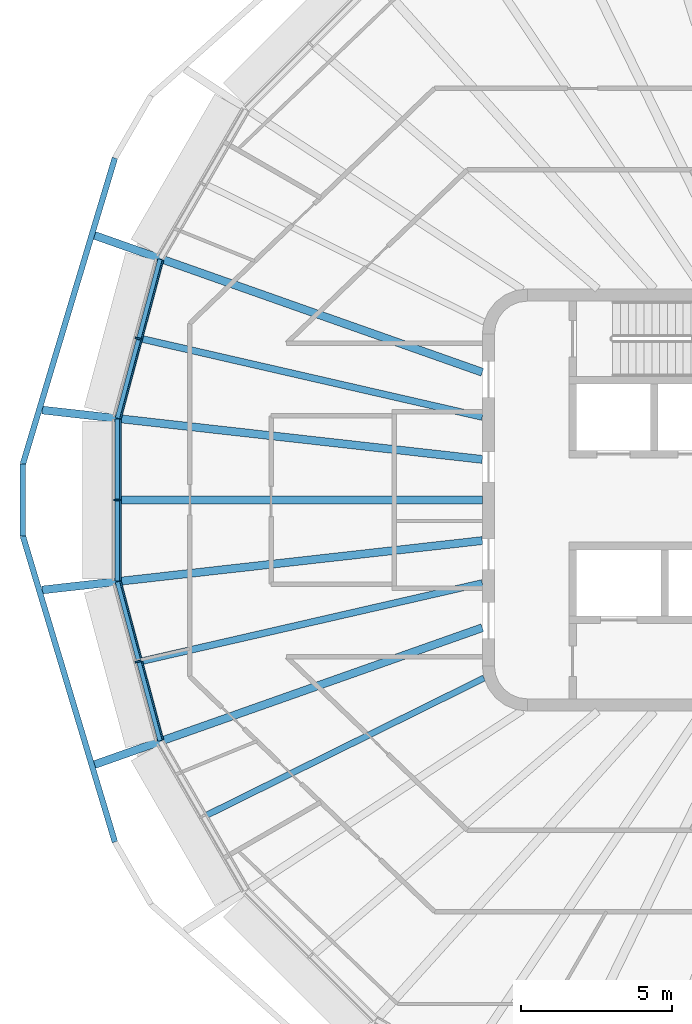
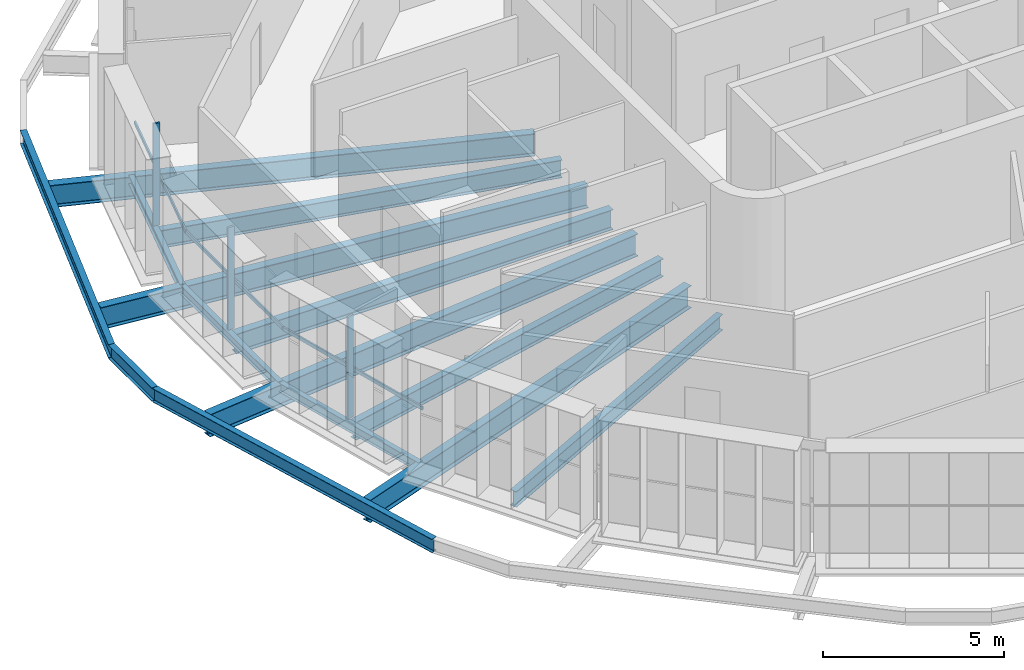
# One storey, part 2 of 18: 14 beams, 6 members, 3 elements without a shape of their own.
"""IFC4 building model written with IfcOpenShell, lengths in metres."""

import ifcopenshell
import ifcopenshell.guid

model = None  # the IFC model being written
_history = None  # IfcOwnerHistory: only IFC2X3 demands one
_inside = {}  # id of a spatial element -> (the spatial element, [elements in it])
_under = {}  # id of a project, library or spatial element -> (it, [spatial elements below it])
_declared = {}  # id of a project -> (the project, [libraries it declares])
_typed = {}  # id of a type object -> (the type object, [elements of that type])
_made_of = {}  # id of a material, layer set ... -> (it, [elements and type objects made of it])


def new_model(schema):
    """Start an empty IFC model of exactly this schema.

    Asked for "IFC4X3", IfcOpenShell would pick the latest addendum, in which some entities
    have other attributes; the version numbers below select the first issue.
    IFC2X3 requires an IfcOwnerHistory on every rooted entity: one is made here for all.
    """
    global model, _history
    if schema == "IFC4X3":
        model = ifcopenshell.file(schema_version=(4, 3, 0, 0))
    else:
        model = ifcopenshell.file(schema=schema)
    _inside.clear()
    _under.clear()
    _declared.clear()
    _typed.clear()
    _made_of.clear()
    _history = None
    if model.schema == "IFC2X3":
        org = make("IfcOrganization", Name="unknown")
        user = make(
            "IfcPersonAndOrganization",
            ThePerson=make("IfcPerson", FamilyName="unknown"),
            TheOrganization=org,
        )
        app = make(
            "IfcApplication",
            ApplicationDeveloper=org,
            Version="unknown",
            ApplicationFullName="unknown",
            ApplicationIdentifier="unknown",
        )
        _history = make(
            "IfcOwnerHistory",
            OwningUser=user,
            OwningApplication=app,
            ChangeAction="ADDED",
            CreationDate=0,
        )
    return model


def make(cls, **values):
    """One entity of the class cls with the attributes given. An attribute that is None is left unset."""
    return model.create_entity(
        cls, **{name: value for name, value in values.items() if value is not None}
    )


def rooted(cls, **values):
    """An entity with a GlobalId (a new one), such as an element, a storey or a relation."""
    return make(cls, GlobalId=ifcopenshell.guid.new(), OwnerHistory=_history, **values)


def si_unit(unit_type, name, prefix=None):
    """IfcSIUnit, for example si_unit("LENGTHUNIT", "METRE", prefix="MILLI")."""
    return make("IfcSIUnit", UnitType=unit_type, Prefix=prefix, Name=name)


def assignment(units):
    """IfcUnitAssignment: the units of a project."""
    return None if units is None else make("IfcUnitAssignment", Units=units)


def point(xyz):
    """IfcCartesianPoint."""
    return None if xyz is None else make("IfcCartesianPoint", Coordinates=xyz)


def direction(xyz):
    """IfcDirection."""
    return None if xyz is None else make("IfcDirection", DirectionRatios=xyz)


def frame(location, z_axis=None, x_axis=None):
    """IfcAxis2Placement3D, a coordinate frame: its origin and axes. An axis left out is left unset."""
    return make(
        "IfcAxis2Placement3D",
        Location=point(location),
        Axis=direction(z_axis),
        RefDirection=direction(x_axis),
    )


def frame_2d(location, x_axis=None):
    """IfcAxis2Placement2D, a coordinate frame in the plane: its origin and x axis."""
    return make(
        "IfcAxis2Placement2D", Location=point(location), RefDirection=direction(x_axis)
    )


def origin():
    """The frame at (0, 0, 0) with its axes left unset."""
    return frame((0.0, 0.0, 0.0))


def origin_2d():
    """The frame at (0, 0) in the plane with its x axis left unset."""
    return frame_2d((0.0, 0.0))


def place(relative_to, where):
    """IfcLocalPlacement: puts the frame where relative to a parent placement (None: the world)."""
    return make(
        "IfcLocalPlacement", PlacementRelTo=relative_to, RelativePlacement=where
    )


def context(
    kind, dimensions, precision=None, world=None, true_north=None, identifier=None
):
    """IfcGeometricRepresentationContext, for example the 3D "Model" context."""
    return make(
        "IfcGeometricRepresentationContext",
        ContextIdentifier=identifier,
        ContextType=kind,
        CoordinateSpaceDimension=dimensions,
        Precision=precision,
        WorldCoordinateSystem=world,
        TrueNorth=true_north,
    )


def subcontext(parent, identifier, kind, view, scale=None):
    """IfcGeometricRepresentationSubContext, for example "Body" below "Model"."""
    return make(
        "IfcGeometricRepresentationSubContext",
        ContextIdentifier=identifier,
        ContextType=kind,
        ParentContext=parent,
        TargetScale=scale,
        TargetView=view,
    )


def project(units=None, contexts=None):
    """IfcProject with its units and contexts."""
    return rooted(
        "IfcProject",
        Name="project",
        RepresentationContexts=contexts,
        UnitsInContext=assignment(units),
    )


def spatial(cls, under=None, at=None, **own):
    """A site, building, storey or space (cls), placed at a placement, below another one or the project."""
    s = rooted(cls, ObjectPlacement=at, **own)
    if under is not None:
        _under.setdefault(under.id(), (under, []))[1].append(s)
    return s


def profile(cls, at=None, kind="AREA", **sizes):
    """A parametric profile (cls). Its sizes go by their IFC names, for example OverallWidth=200.0."""
    return make(cls, ProfileType=kind, Position=at, **sizes)


def rectangle(**sizes):
    """IfcRectangleProfileDef."""
    return profile("IfcRectangleProfileDef", **sizes)


def i_section(**sizes):
    """IfcIShapeProfileDef."""
    return profile("IfcIShapeProfileDef", **sizes)


def extrude(swept, where, along, depth):
    """IfcExtrudedAreaSolid: the profile swept, set in the frame where, extruded along a direction by depth."""
    return make(
        "IfcExtrudedAreaSolid",
        SweptArea=swept,
        Position=where,
        ExtrudedDirection=direction(along),
        Depth=depth,
    )


def shape(context_of_items, identifier, shape_type, items):
    """IfcShapeRepresentation: the items that make up one representation, for example the "Body"."""
    return make(
        "IfcShapeRepresentation",
        ContextOfItems=context_of_items,
        RepresentationIdentifier=identifier,
        RepresentationType=shape_type,
        Items=items,
    )


def material(Name=None, Category=None):
    """IfcMaterial."""
    return make("IfcMaterial", Name=Name, Category=Category)


def layer(
    of_material, thickness, ventilated=None, Name=None, Category=None, Priority=None
):
    """IfcMaterialLayer: one layer of a wall or slab, of a material (None: an air gap)."""
    return make(
        "IfcMaterialLayer",
        Material=of_material,
        LayerThickness=thickness,
        IsVentilated=ventilated,
        Name=Name,
        Category=Category,
        Priority=Priority,
    )


def layer_set(layers, Name=None):
    """IfcMaterialLayerSet."""
    return make("IfcMaterialLayerSet", MaterialLayers=layers, LayerSetName=Name)


def material_profile(
    of_material, cross_section, Name=None, Category=None, Priority=None
):
    """IfcMaterialProfile: a cross section and its material."""
    return make(
        "IfcMaterialProfile",
        Name=Name,
        Material=of_material,
        Profile=cross_section,
        Priority=Priority,
        Category=Category,
    )


def profile_set(profiles, Name=None, composite=None):
    """IfcMaterialProfileSet."""
    return make(
        "IfcMaterialProfileSet",
        Name=Name,
        MaterialProfiles=profiles,
        CompositeProfile=composite,
    )


def made_of(thing, what):
    """Note that an element or type object is made of a material, layer set ...; save() writes the relation."""
    if what is not None:
        _made_of.setdefault(what.id(), (what, []))[1].append(thing)
    return thing


def type_object(cls, material=None, **own):
    """A type object (cls), such as IfcWallType, which elements share."""
    return made_of(rooted(cls, **own), material)


def element(
    cls,
    number,
    at=None,
    inside=None,
    cuts=None,
    type_object=None,
    material=None,
    context=None,
    identifier="Body",
    shape_type=None,
    held_by="IfcProductDefinitionShape",
    body=None,
    shapes=None,
    **own,
):
    """One element of the class cls, such as IfcWall. Its Tag is "e" and its number.

    at: its placement. inside: the storey or other place that contains it. cuts: it is an
    opening in that element (IfcRelVoidsElement). A single representation is given by context,
    identifier, shape_type and body (its items); several are given by shapes. held_by: the class
    of the entity that holds the representations. save() writes the other relations.
    """
    e = rooted(cls, Tag="e%d" % number, ObjectPlacement=at, **own)
    if body is not None:
        shapes = [shape(context, identifier, shape_type, body)]
    if shapes is not None:
        e.Representation = make(held_by, Representations=shapes)
    if inside is not None:
        _inside.setdefault(inside.id(), (inside, []))[1].append(e)
    if cuts is not None:
        rooted(
            "IfcRelVoidsElement", RelatingBuildingElement=cuts, RelatedOpeningElement=e
        )
    if type_object is not None:
        _typed.setdefault(type_object.id(), (type_object, []))[1].append(e)
    return made_of(e, material)


def aggregate(whole, parts):
    """IfcRelAggregates: a whole, such as a stair, and the parts it consists of."""
    return rooted("IfcRelAggregates", RelatingObject=whole, RelatedObjects=parts)


def save(model, path):
    """Write the relations noted so far, then the file.

    IfcRelAggregates (storeys below a building ...), IfcRelContainedInSpatialStructure (elements
    in a storey), IfcRelDefinesByType, IfcRelAssociatesMaterial and IfcRelDeclares: one each for
    every whole, place, type object, material and project.
    """
    for whole, parts in _under.values():
        aggregate(whole, parts)
    for where, things in _inside.values():
        rooted(
            "IfcRelContainedInSpatialStructure",
            RelatedElements=things,
            RelatingStructure=where,
        )
    for kind, things in _typed.values():
        rooted("IfcRelDefinesByType", RelatedObjects=things, RelatingType=kind)
    for what, things in _made_of.values():
        rooted("IfcRelAssociatesMaterial", RelatedObjects=things, RelatingMaterial=what)
    for by, libraries in _declared.values():
        rooted("IfcRelDeclares", RelatingContext=by, RelatedDefinitions=libraries)
    model.write(path)


model = new_model("IFC4")

# Units and contexts
model_context = context("Model", 3, precision=1e-05, world=origin(), true_north=direction((0.0, 1.0)))
body_context = subcontext(model_context, "Body", "Model", "MODEL_VIEW")
ifc_project = project(units=[si_unit("LENGTHUNIT", "METRE"), si_unit("AREAUNIT", "SQUARE_METRE"), si_unit("VOLUMEUNIT", "CUBIC_METRE"), si_unit("PLANEANGLEUNIT", "RADIAN"), si_unit("MASSUNIT", "GRAM", prefix="KILO")], contexts=[model_context])

# Site, building, storey
site_placement = place(None, origin())
site = spatial("IfcSite", under=ifc_project, at=site_placement, CompositionType="ELEMENT")
building_placement = place(site_placement, origin())
building = spatial("IfcBuilding", under=site, at=building_placement, Name="Sahrelin Media Tower", CompositionType="ELEMENT")
storey_placement = place(building_placement, frame((0.0, 0.0, 320.39990234375)))
storey = spatial("IfcBuildingStorey", under=building, at=storey_placement, Name="L71", CompositionType="ELEMENT", Elevation=320.39990234375)

# Beams
ifc_material_1 = material(Name="Steel S355", Category="steel")
ifc_material_profile_1 = material_profile(ifc_material_1, i_section(OverallWidth=0.1650390625, OverallDepth=0.303466796875, WebThickness=0.006103515625, FlangeThickness=0.01025390625, FilletRadius=0.0087890625, at=origin_2d()), Name="UB 305x165x40")
ifc_profile_set_1 = profile_set([ifc_material_profile_1], Name="Steel S355")
beam_type_1 = type_object("IfcBeamType", Name="Edge beam EB2", PredefinedType="BEAM", material=ifc_profile_set_1)
beam_1_placement = place(storey_placement, frame((-22.677490234375, -7.981689453125, -0.301513671875), z_axis=(-0.258807693076, 0.965928867984, 0.0), x_axis=(-0.965928867984, -0.258807693076, 0.0)))
element("IfcBeam", 1, at=beam_1_placement, inside=storey, type_object=beam_type_1, Name="Edge beam L71-12", PredefinedType="BEAM", context=body_context, shape_type="SweptSolid", body=[
    extrude(i_section(OverallWidth=0.1650390625, OverallDepth=0.303466796875, WebThickness=0.006103515625, FlangeThickness=0.01025390625, FilletRadius=0.0087890625, at=origin_2d()), origin(), (0.0, 0.0, 1.0), 5.453369140625),
])
beam_2_placement = place(storey_placement, frame((-24.0927734375, -2.685546875, -0.301513671875), z_axis=(0.0, 1.0, 0.0), x_axis=(-1.0, 0.0, 0.0)))
element("IfcBeam", 2, at=beam_2_placement, inside=storey, type_object=beam_type_1, Name="Edge beam L71-13", PredefinedType="BEAM", context=body_context, shape_type="SweptSolid", body=[
    extrude(i_section(OverallWidth=0.1650390625, OverallDepth=0.303466796875, WebThickness=0.006103515625, FlangeThickness=0.01025390625, FilletRadius=0.0087890625, at=origin_2d()), origin(), (0.0, 0.0, 1.0), 5.37109375),
])
beam_3_placement = place(storey_placement, frame((-24.0888671875, 2.714111328125, -0.301513671875), z_axis=(0.258807693076, 0.965928867984, 0.0), x_axis=(-0.965928867984, 0.258807693076, 0.0)))
element("IfcBeam", 3, at=beam_3_placement, inside=storey, type_object=beam_type_1, Name="Edge beam L71-14", PredefinedType="BEAM", context=body_context, shape_type="SweptSolid", body=[
    extrude(i_section(OverallWidth=0.1650390625, OverallDepth=0.303466796875, WebThickness=0.006103515625, FlangeThickness=0.01025390625, FilletRadius=0.0087890625, at=origin_2d()), origin(), (0.0, 0.0, 1.0), 5.453369140625),
])

# Curtain wall, member
ifc_material_2 = material(Name="Champagne anodised aluminium 6063-T6", Category="aluminium")
ifc_layer = layer(ifc_material_2, 0.14990234375)
ifc_layer_set = layer_set([ifc_layer], Name="Tower ribbon curtain wall")
curtain_wall_type = type_object("IfcCurtainWallType", Name="Tower ribbon curtain wall", PredefinedType="NOTDEFINED", material=ifc_layer_set)
curtain_wall_1_placement = place(storey_placement, frame((-23.5283203125, 5.38671875, 0.0), z_axis=(0.0, 0.0, 1.0), x_axis=(1.0, 0.0, 0.0)))
curtain_wall_1 = element("IfcCurtainWall", 4, at=curtain_wall_1_placement, inside=storey, type_object=curtain_wall_type, Name="L71:CW:L71-11", PredefinedType="NOTDEFINED")
ifc_material_profile_2 = material_profile(ifc_material_2, rectangle(XDim=0.06005859375, YDim=0.199951171875, at=origin_2d()), Name="Mullion 60x200")
ifc_profile_set_2 = profile_set([ifc_material_profile_2], Name="Champagne anodised aluminium 6063-T6")
member_type_1 = type_object("IfcMemberType", Name="Mullion 60x200 CW1C", PredefinedType="MULLION", material=ifc_profile_set_2)
member_1_placement = place(storey_placement, frame((-23.412109375, 5.355712890625, 0.0), z_axis=(0.0, 0.0, 1.0), x_axis=(-0.258813987523, -0.965927181449, 0.0)))
member_1 = element("IfcMember", 5, at=member_1_placement, type_object=member_type_1, Name="L71:CWM:L71-11", PredefinedType="MULLION", context=body_context, shape_type="SweptSolid", body=[
    extrude(rectangle(XDim=0.06005859375, YDim=0.199951171875, at=origin_2d()), origin(), (0.0, 0.0, 1.0), 3.44873046875),
])

curtain_wall_2_placement = place(storey_placement, frame((-24.24267578125, 0.0, 0.0), z_axis=(0.0, 0.0, 1.0), x_axis=(1.0, 0.0, 0.0)))
curtain_wall_2 = element("IfcCurtainWall", 6, at=curtain_wall_2_placement, inside=storey, type_object=curtain_wall_type, Name="L71:CW:L71-12", PredefinedType="NOTDEFINED")
member_2_placement = place(storey_placement, frame((-24.122802734375, 0.0, 0.0), z_axis=(0.0, 0.0, 1.0), x_axis=(0.0, -1.0, 0.0)))
member_2 = element("IfcMember", 7, at=member_2_placement, type_object=member_type_1, Name="L71:CWM:L71-12", PredefinedType="MULLION", context=body_context, shape_type="SweptSolid", body=[
    extrude(rectangle(XDim=0.06005859375, YDim=0.199951171875, at=origin_2d()), origin(), (0.0, 0.0, 1.0), 3.44873046875),
])

curtain_wall_3_placement = place(storey_placement, frame((-23.5283203125, -5.38671875, 0.0), z_axis=(0.0, 0.0, 1.0), x_axis=(1.0, 0.0, 0.0)))
curtain_wall_3 = element("IfcCurtainWall", 8, at=curtain_wall_3_placement, inside=storey, type_object=curtain_wall_type, Name="L71:CW:L71-13", PredefinedType="NOTDEFINED")
member_3_placement = place(storey_placement, frame((-23.412109375, -5.355712890625, 0.0), z_axis=(0.0, 0.0, 1.0), x_axis=(0.258813987523, -0.965927181449, 0.0)))
member_3 = element("IfcMember", 9, at=member_3_placement, type_object=member_type_1, Name="L71:CWM:L71-13", PredefinedType="MULLION", context=body_context, shape_type="SweptSolid", body=[
    extrude(rectangle(XDim=0.06005859375, YDim=0.199951171875, at=origin_2d()), origin(), (0.0, 0.0, 1.0), 3.44873046875),
])

# Beams
ifc_material_profile_3 = material_profile(ifc_material_1, i_section(OverallWidth=0.26513671875, OverallDepth=0.75390625, WebThickness=0.0126953125, FlangeThickness=0.017578125, FilletRadius=0.0166015625, at=origin_2d()), Name="UB 762x267x147")
ifc_profile_set_3 = profile_set([ifc_material_profile_3], Name="Steel S355")
beam_type_2 = type_object("IfcBeamType", Name="Radial primary beam PB9", PredefinedType="BEAM", material=ifc_profile_set_3)
beam_4_placement = place(storey_placement, frame((-12.0, 4.236083984375, -0.52685546875), z_axis=(-0.942964873881, 0.332892244769, 0.0), x_axis=(-0.332892244769, -0.942964873881, 0.0)))
element("IfcBeam", 10, at=beam_4_placement, inside=storey, type_object=beam_type_2, Name="Radial beam L71-11", PredefinedType="BEAM", context=body_context, shape_type="SweptSolid", body=[
    extrude(i_section(OverallWidth=0.26513671875, OverallDepth=0.75390625, WebThickness=0.0126953125, FlangeThickness=0.017578125, FilletRadius=0.0166015625, at=origin_2d()), origin(), (0.0, 0.0, 1.0), 13.633056640625),
])
for number, where, z_axis, x_axis, name in (
    (11, (-12.0, 1.34619140625, -0.52685546875), (-0.993764786308, 0.111496858677, 0.0), (-0.111496858677, -0.993764786308, 0.0), "Radial beam L71-12"),
    (12, (-12.0, -1.34619140625, -0.52685546875), (-0.993764786308, -0.111496858677, 0.0), (0.111496858677, -0.993764786308, 0.0), "Radial beam L71-13"),
):
    element("IfcBeam", number, at=place(storey_placement, frame(where, z_axis=z_axis, x_axis=x_axis)), inside=storey, type_object=beam_type_2, Name=name, PredefinedType="BEAM", context=body_context, shape_type="SweptSolid", body=[
        extrude(i_section(OverallWidth=0.26513671875, OverallDepth=0.75390625, WebThickness=0.0126953125, FlangeThickness=0.017578125, FilletRadius=0.0166015625, at=origin_2d()), origin(), (0.0, 0.0, 1.0), 14.688232421875),
    ])
beam_5_placement = place(storey_placement, frame((-12.0, -4.236083984375, -0.52685546875), z_axis=(-0.942964873881, -0.332892244769, 0.0), x_axis=(0.332892244769, -0.942964873881, 0.0)))
element("IfcBeam", 13, at=beam_5_placement, inside=storey, type_object=beam_type_2, Name="Radial beam L71-14", PredefinedType="BEAM", context=body_context, shape_type="SweptSolid", body=[
    extrude(i_section(OverallWidth=0.26513671875, OverallDepth=0.75390625, WebThickness=0.0126953125, FlangeThickness=0.017578125, FilletRadius=0.0166015625, at=origin_2d()), origin(), (0.0, 0.0, 1.0), 13.633056640625),
])
ifc_material_profile_4 = material_profile(ifc_material_1, i_section(OverallWidth=0.208740234375, OverallDepth=0.5283203125, WebThickness=0.009521484375, FlangeThickness=0.01318359375, FilletRadius=0.0126953125, at=origin_2d()), Name="UB 533x210x82")
ifc_profile_set_4 = profile_set([ifc_material_profile_4], Name="Steel S355")
beam_type_3 = type_object("IfcBeamType", Name="Radial secondary beam SB6", PredefinedType="BEAM", material=ifc_profile_set_4)
beam_6_placement = place(storey_placement, frame((-11.941650390625, -5.90576171875, -0.4140625), z_axis=(-0.896375943047, -0.443294674824, 0.0), x_axis=(0.443294674824, -0.896375943047, 0.0)))
element("IfcBeam", 14, at=beam_6_placement, inside=storey, type_object=beam_type_3, Name="Secondary beam L71-14", PredefinedType="BEAM", context=body_context, shape_type="SweptSolid", body=[
    extrude(i_section(OverallWidth=0.208740234375, OverallDepth=0.5283203125, WebThickness=0.009521484375, FlangeThickness=0.01318359375, FilletRadius=0.0126953125, at=origin_2d()), origin(), (0.0, 0.0, 1.0), 10.27783203125),
])
ifc_material_profile_5 = material_profile(ifc_material_1, i_section(OverallWidth=0.2275390625, OverallDepth=0.6025390625, WebThickness=0.010498046875, FlangeThickness=0.014892578125, FilletRadius=0.0126953125, at=origin_2d()), Name="UB 610x229x101")
ifc_profile_set_5 = profile_set([ifc_material_profile_5], Name="Steel S355")
beam_type_4 = type_object("IfcBeamType", Name="Radial secondary beam SB7", PredefinedType="BEAM", material=ifc_profile_set_5)
for number, where, z_axis, x_axis, name in (
    (15, (-12.0, 2.75341796875, -0.451171875), (-0.974674391125, 0.223628780089, 0.0), (-0.223628780089, -0.974674391125, 0.0), "Secondary beam L71-11"),
    (16, (-12.0, -2.75341796875, -0.451171875), (-0.974674391125, -0.223628780089, 0.0), (0.223628780089, -0.974674391125, 0.0), "Secondary beam L71-13"),
):
    element("IfcBeam", number, at=place(storey_placement, frame(where, z_axis=z_axis, x_axis=x_axis)), inside=storey, type_object=beam_type_4, Name=name, PredefinedType="BEAM", context=body_context, shape_type="SweptSolid", body=[
        extrude(i_section(OverallWidth=0.2275390625, OverallDepth=0.6025390625, WebThickness=0.010498046875, FlangeThickness=0.014892578125, FilletRadius=0.0126953125, at=origin_2d()), origin(), (0.0, 0.0, 1.0), 11.591796875),
    ])
ifc_material_profile_6 = material_profile(ifc_material_1, i_section(OverallWidth=0.2529296875, OverallDepth=0.677978515625, WebThickness=0.01171875, FlangeThickness=0.01611328125, FilletRadius=0.01513671875, at=origin_2d()), Name="UB 686x254x125")
ifc_profile_set_6 = profile_set([ifc_material_profile_6], Name="Steel S355")
beam_type_5 = type_object("IfcBeamType", Name="Radial secondary beam SB8", PredefinedType="BEAM", material=ifc_profile_set_6)
beam_7_placement = place(storey_placement, frame((-12.0, 0.0, -0.489013671875), z_axis=(-1.0, 0.0, 0.0), x_axis=(0.0, -1.0, 0.0)))
element("IfcBeam", 17, at=beam_7_placement, inside=storey, type_object=beam_type_5, Name="Secondary beam L71-12", PredefinedType="BEAM", context=body_context, shape_type="SweptSolid", body=[
    extrude(i_section(OverallWidth=0.2529296875, OverallDepth=0.677978515625, WebThickness=0.01171875, FlangeThickness=0.01611328125, FilletRadius=0.01513671875, at=origin_2d()), origin(), (0.0, 0.0, 1.0), 12.01025390625),
])
ifc_material_profile_7 = material_profile(ifc_material_1, i_section(OverallWidth=0.1904296875, OverallDepth=0.45703125, WebThickness=0.009033203125, FlangeThickness=0.014404296875, FilletRadius=0.01025390625, at=origin_2d()), Name="UB 457x191x74")
ifc_profile_set_7 = profile_set([ifc_material_profile_7], Name="Steel S355")
beam_type_6 = type_object("IfcBeamType", Name="Tie chord TC5", PredefinedType="BEAM", material=ifc_profile_set_7)
beam_8_placement = place(storey_placement, frame((-24.182373046875, 11.34326171875, -0.37841796875), z_axis=(-0.287981707962, -0.957635909874, 0.0), x_axis=(0.957635909874, -0.287981707962, 0.0)))
element("IfcBeam", 18, at=beam_8_placement, inside=storey, type_object=beam_type_6, Name="Tie chord L71-11", PredefinedType="BEAM", context=body_context, shape_type="SweptSolid", body=[
    extrude(i_section(OverallWidth=0.1904296875, OverallDepth=0.45703125, WebThickness=0.009033203125, FlangeThickness=0.014404296875, FilletRadius=0.01025390625, at=origin_2d()), origin(), (0.0, 0.0, 1.0), 10.600341796875),
])
beam_9_placement = place(storey_placement, frame((-27.235107421875, 1.19189453125, -0.37841796875), z_axis=(0.0, -1.0, 0.0), x_axis=(1.0, 0.0, 0.0)))
element("IfcBeam", 19, at=beam_9_placement, inside=storey, type_object=beam_type_6, Name="Tie chord L71-12", PredefinedType="BEAM", context=body_context, shape_type="SweptSolid", body=[
    extrude(i_section(OverallWidth=0.1904296875, OverallDepth=0.45703125, WebThickness=0.009033203125, FlangeThickness=0.014404296875, FilletRadius=0.01025390625, at=origin_2d()), origin(), (0.0, 0.0, 1.0), 2.3837890625),
])
beam_10_placement = place(storey_placement, frame((-27.235107421875, -1.19189453125, -0.37841796875), z_axis=(0.287981707962, -0.957635909874, 0.0), x_axis=(0.957635909874, 0.287981707962, 0.0)))
element("IfcBeam", 20, at=beam_10_placement, inside=storey, type_object=beam_type_6, Name="Tie chord L71-13", PredefinedType="BEAM", context=body_context, shape_type="SweptSolid", body=[
    extrude(i_section(OverallWidth=0.1904296875, OverallDepth=0.45703125, WebThickness=0.009033203125, FlangeThickness=0.014404296875, FilletRadius=0.01025390625, at=origin_2d()), origin(), (0.0, 0.0, 1.0), 10.600341796875),
])

# Member
ifc_material_profile_8 = material_profile(ifc_material_2, rectangle(XDim=0.050048828125, YDim=0.1201171875, at=origin_2d()), Name="Transom 50x120")
ifc_profile_set_8 = profile_set([ifc_material_profile_8], Name="Champagne anodised aluminium 6063-T6")
member_type_2 = type_object("IfcMemberType", Name="Transom 50x120 CW1C", PredefinedType="USERDEFINED", material=ifc_profile_set_8)
member_4_placement = place(storey_placement, frame((-22.58984375, 7.94189453125, 1.60009765625), z_axis=(-0.258828366626, -0.965923328546, 0.0), x_axis=(0.965923328546, -0.258828366626, 0.0)))
member_4 = element("IfcMember", 21, at=member_4_placement, type_object=member_type_2, Name="L71:CWT:L71-11", ObjectType="TRANSOM", PredefinedType="USERDEFINED", context=body_context, shape_type="SweptSolid", body=[
    extrude(rectangle(XDim=0.050048828125, YDim=0.1201171875, at=origin_2d()), origin(), (0.0, 0.0, 1.0), 5.421875),
])

aggregate(curtain_wall_1, [member_1, member_4])

member_5_placement = place(storey_placement, frame((-23.997802734375, 2.669921875, 1.60009765625), z_axis=(0.0, -1.0, 0.0), x_axis=(1.0, 0.0, 0.0)))
member_5 = element("IfcMember", 22, at=member_5_placement, type_object=member_type_2, Name="L71:CWT:L71-12", ObjectType="TRANSOM", PredefinedType="USERDEFINED", context=body_context, shape_type="SweptSolid", body=[
    extrude(rectangle(XDim=0.050048828125, YDim=0.1201171875, at=origin_2d()), origin(), (0.0, 0.0, 1.0), 5.33984375),
])

aggregate(curtain_wall_2, [member_2, member_5])

member_6_placement = place(storey_placement, frame((-23.9931640625, -2.704833984375, 1.60009765625), z_axis=(0.258828366626, -0.965923328546, 0.0), x_axis=(0.965923328546, 0.258828366626, 0.0)))
member_6 = element("IfcMember", 23, at=member_6_placement, type_object=member_type_2, Name="L71:CWT:L71-13", ObjectType="TRANSOM", PredefinedType="USERDEFINED", context=body_context, shape_type="SweptSolid", body=[
    extrude(rectangle(XDim=0.050048828125, YDim=0.1201171875, at=origin_2d()), origin(), (0.0, 0.0, 1.0), 5.421875),
])

aggregate(curtain_wall_3, [member_3, member_6])

save(model, "model.ifc")
